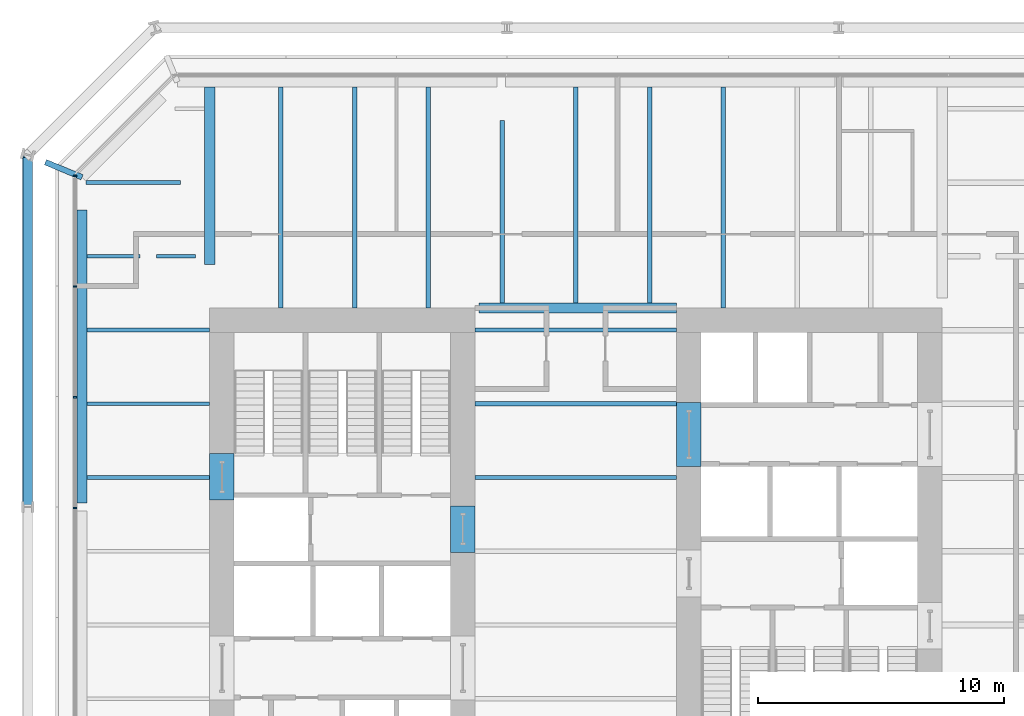
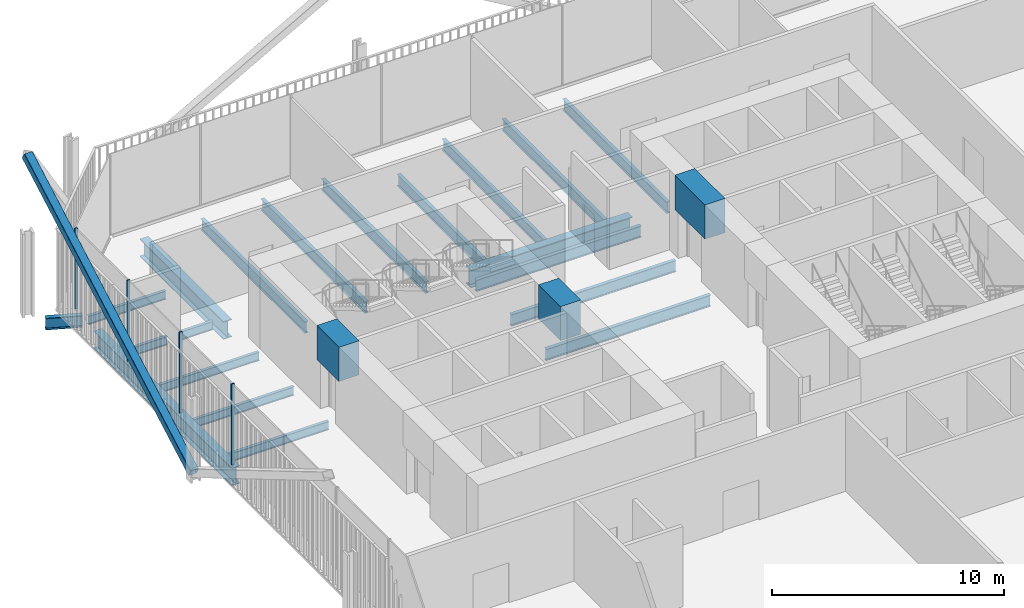
# One storey, part 11 of 21: 23 beams, 5 members, 1 element without a shape of its own.
"""IFC4 building model written with IfcOpenShell, lengths in metres."""

from ifc_helpers import new_model, si_unit, direction, frame, origin, origin_2d, place, context, subcontext, project, spatial, rectangle, hollow_rectangle, i_section, extrude, material, layer, layer_set, material_profile, profile_set, type_object, element, aggregate, save


model = new_model("IFC4")

# Units and contexts
model_context = context("Model", 3, precision=1e-05, world=origin(), true_north=direction((0.0, 1.0)))
body_context = subcontext(model_context, "Body", "Model", "MODEL_VIEW")
ifc_project = project(units=[si_unit("LENGTHUNIT", "METRE"), si_unit("AREAUNIT", "SQUARE_METRE"), si_unit("VOLUMEUNIT", "CUBIC_METRE"), si_unit("PLANEANGLEUNIT", "RADIAN"), si_unit("MASSUNIT", "GRAM", prefix="KILO")], contexts=[model_context])

# Site, building, storey
site_placement = place(None, origin())
site = spatial("IfcSite", under=ifc_project, at=site_placement, CompositionType="ELEMENT")
building_placement = place(site_placement, origin())
building = spatial("IfcBuilding", under=site, at=building_placement, Name="Millrace Tower", CompositionType="ELEMENT")
storey_placement = place(building_placement, frame((0.0, 0.0, 73.199951171875)))
storey = spatial("IfcBuildingStorey", under=building, at=storey_placement, Name="L16", CompositionType="ELEMENT", Elevation=73.199951171875)

# Curtain wall, members
ifc_material_1 = material(Name="Aluminium and glass", Category="aluminium")
ifc_layer = layer(ifc_material_1, 0.14990234375)
ifc_layer_set = layer_set([ifc_layer], Name="Aluminium and glass")
curtain_wall_type = type_object("IfcCurtainWallType", Name="CW-3 telecom floor curtain wall", PredefinedType="NOTDEFINED", material=ifc_layer_set)
curtain_wall_placement = place(storey_placement, origin())
curtain_wall = element("IfcCurtainWall", 1, at=curtain_wall_placement, inside=storey, type_object=curtain_wall_type, Name="Curtain wall B-F08 L16", PredefinedType="NOTDEFINED")
ifc_material_2 = material(Name="Aluminium", Category="aluminium")
ifc_material_profile_1 = material_profile(ifc_material_2, rectangle(XDim=0.06494140625, YDim=0.14990234375, at=origin_2d()))
ifc_profile_set_1 = profile_set([ifc_material_profile_1], Name="Aluminium")
member_type_1 = type_object("IfcMemberType", Name="CW-3 telecom floor curtain wall mullion", PredefinedType="MULLION", material=ifc_profile_set_1)
member_1_placement = place(storey_placement, frame((-20.375, 15.267578125, 0.150146484375), z_axis=(0.0, 0.0, 1.0), x_axis=(0.0, -1.0, 0.0)))
member_1 = element("IfcMember", 2, at=member_1_placement, type_object=member_type_1, Name="CW3 mullion B-F08.1", PredefinedType="MULLION", context=body_context, shape_type="SweptSolid", body=[
    extrude(rectangle(XDim=0.06494140625, YDim=0.14990234375, at=origin_2d()), origin(), (0.0, 0.0, 1.0), 4.25),
])
member_2_placement = place(storey_placement, frame((-20.375, 10.767578125, 0.150146484375), z_axis=(0.0, 0.0, 1.0), x_axis=(0.0, -1.0, 0.0)))
member_2 = element("IfcMember", 3, at=member_2_placement, type_object=member_type_1, Name="CW3 mullion B-F08.2", PredefinedType="MULLION", context=body_context, shape_type="SweptSolid", body=[
    extrude(rectangle(XDim=0.06494140625, YDim=0.14990234375, at=origin_2d()), origin(), (0.0, 0.0, 1.0), 4.25),
])
member_3_placement = place(storey_placement, frame((-20.375, 6.267578125, 0.150146484375), z_axis=(0.0, 0.0, 1.0), x_axis=(0.0, -1.0, 0.0)))
member_3 = element("IfcMember", 4, at=member_3_placement, type_object=member_type_1, Name="CW3 mullion B-F08.3", PredefinedType="MULLION", context=body_context, shape_type="SweptSolid", body=[
    extrude(rectangle(XDim=0.06494140625, YDim=0.14990234375, at=origin_2d()), origin(), (0.0, 0.0, 1.0), 4.25),
])
member_4_placement = place(storey_placement, frame((-20.375, 1.767578125, 0.150146484375), z_axis=(0.0, 0.0, 1.0), x_axis=(0.0, -1.0, 0.0)))
member_4 = element("IfcMember", 5, at=member_4_placement, type_object=member_type_1, Name="CW3 mullion B-F08.4", PredefinedType="MULLION", context=body_context, shape_type="SweptSolid", body=[
    extrude(rectangle(XDim=0.06494140625, YDim=0.14990234375, at=origin_2d()), origin(), (0.0, 0.0, 1.0), 4.25),
])
aggregate(curtain_wall, [member_1, member_2, member_3, member_4])

# Beams
ifc_material_3 = material(Name="Concrete C80", Category="concrete")
ifc_material_profile_2 = material_profile(ifc_material_3, rectangle(XDim=1.0, YDim=1.800048828125, at=origin_2d()))
ifc_profile_set_2 = profile_set([ifc_material_profile_2], Name="Concrete C80")
beam_type_1 = type_object("IfcBeamType", Name="Coupling beam 1000 x 1800 Concrete C80, 1300 opening", PredefinedType="BEAM", material=ifc_profile_set_2)
beam_1_placement = place(storey_placement, frame((-14.39990234375, 2.080078125, 3.300048828125), z_axis=(0.0, 1.0, 0.0), x_axis=(-1.0, 0.0, 0.0)))
element("IfcBeam", 6, at=beam_1_placement, inside=storey, type_object=beam_type_1, Name="Coupling beam W L16", PredefinedType="BEAM", context=body_context, shape_type="SweptSolid", body=[
    extrude(rectangle(XDim=1.0, YDim=1.800048828125, at=origin_2d()), origin(), (0.0, 0.0, 1.0), 1.89990234375),
])
beam_2_placement = place(storey_placement, frame((-4.60009765625, -0.050048828125, 3.300048828125), z_axis=(0.0, 1.0, 0.0), x_axis=(-1.0, 0.0, 0.0)))
element("IfcBeam", 7, at=beam_2_placement, inside=storey, type_object=beam_type_1, Name="Coupling beam W L16", PredefinedType="BEAM", context=body_context, shape_type="SweptSolid", body=[
    extrude(rectangle(XDim=1.0, YDim=1.800048828125, at=origin_2d()), origin(), (0.0, 0.0, 1.0), 1.900146484375),
])
ifc_material_4 = material(Name="Concrete C80", Category="concrete")
ifc_material_profile_3 = material_profile(ifc_material_4, rectangle(XDim=1.0, YDim=1.800048828125, at=origin_2d()))
ifc_profile_set_3 = profile_set([ifc_material_profile_3], Name="Concrete C80")
beam_type_2 = type_object("IfcBeamType", Name="Coupling beam 1000 x 1800 Concrete C80, 2000 opening", PredefinedType="BEAM", material=ifc_profile_set_3)
beam_3_placement = place(storey_placement, frame((4.60009765625, 6.050048828125, 3.300048828125), z_axis=(0.0, -1.0, 0.0), x_axis=(1.0, 0.0, 0.0)))
element("IfcBeam", 8, at=beam_3_placement, inside=storey, type_object=beam_type_2, Name="Coupling beam E L16", PredefinedType="BEAM", context=body_context, shape_type="SweptSolid", body=[
    extrude(rectangle(XDim=1.0, YDim=1.800048828125, at=origin_2d()), origin(), (0.0, 0.0, 1.0), 2.60009765625),
])

# Member
ifc_material_5 = material(Name="Steel ASTM A500 Grade C", Category="steel")
ifc_material_profile_4 = material_profile(ifc_material_5, hollow_rectangle(XDim=0.406494140625, YDim=0.406494140625, WallThickness=0.015869140625, InnerFilletRadius=0.008056640625, OuterFilletRadius=0.02392578125, at=origin_2d()))
ifc_profile_set_4 = profile_set([ifc_material_profile_4], Name="Steel ASTM A500 Grade C")
member_type_2 = type_object("IfcMemberType", Name="Exoskeleton brace HSS16x16x5/8", PredefinedType="BRACE", material=ifc_profile_set_4)
member_5_placement = place(storey_placement, frame((-22.300048828125, 1.800048828125, 0.400146484375), z_axis=(0.0, 0.873125840427, 0.487494888976), x_axis=(-1.0, 0.0, 0.0)))
element("IfcMember", 9, at=member_5_placement, inside=storey, type_object=member_type_2, Name="BRC-B-L16-14", PredefinedType="BRACE", context=body_context, shape_type="SweptSolid", body=[
    extrude(hollow_rectangle(XDim=0.406494140625, YDim=0.406494140625, WallThickness=0.015869140625, InnerFilletRadius=0.008056640625, OuterFilletRadius=0.02392578125, at=origin_2d()), origin(), (0.0, 0.0, 1.0), 16.410400390625),
])

# Beams
ifc_material_6 = material(Name="Steel ASTM A992 Grade 50", Category="steel")
ifc_material_profile_5 = material_profile(ifc_material_6, i_section(OverallWidth=0.15234375, OverallDepth=0.449462890625, WebThickness=0.007568359375, FlangeThickness=0.0107421875, FilletRadius=0.01025390625, at=origin_2d()))
ifc_profile_set_5 = profile_set([ifc_material_profile_5], Name="Steel ASTM A992 Grade 50")
beam_type_3 = type_object("IfcBeamType", Name="Floor beam W18x35", PredefinedType="JOIST", material=ifc_profile_set_5)
for number, where, z_axis, x_axis, name in (
    (10, (-19.880859375, 3.0, -0.4248046875), (1.0, 0.0, 0.0), (0.0, 1.0, 0.0), "BM-B-L16-S1-S026"),
    (11, (-19.880859375, 6.0, -0.4248046875), (1.0, 0.0, 0.0), (0.0, 1.0, 0.0), "BM-B-L16-S1-S029"),
    (12, (-19.880859375, 9.0, -0.4248046875), (1.0, 0.0, 0.0), (0.0, 1.0, 0.0), "BM-B-L16-S1-S032"),
):
    element("IfcBeam", number, at=place(storey_placement, frame(where, z_axis=z_axis, x_axis=x_axis)), inside=storey, type_object=beam_type_3, Name=name, PredefinedType="JOIST", context=body_context, shape_type="SweptSolid", body=[
        extrude(i_section(OverallWidth=0.15234375, OverallDepth=0.449462890625, WebThickness=0.007568359375, FlangeThickness=0.0107421875, FilletRadius=0.01025390625, at=origin_2d()), origin(), (0.0, 0.0, 1.0), 4.98095703125),
    ])
beam_4_placement = place(storey_placement, frame((-19.928955078125, 15.0, -0.4248046875), z_axis=(1.0, 0.0, 0.0), x_axis=(0.0, 1.0, 0.0)))
element("IfcBeam", 13, at=beam_4_placement, inside=storey, type_object=beam_type_3, Name="BM-B-L16-S1-S036", PredefinedType="JOIST", context=body_context, shape_type="SweptSolid", body=[
    extrude(i_section(OverallWidth=0.15234375, OverallDepth=0.449462890625, WebThickness=0.007568359375, FlangeThickness=0.0107421875, FilletRadius=0.01025390625, at=origin_2d()), origin(), (0.0, 0.0, 1.0), 3.85009765625),
])
beam_5_placement = place(storey_placement, frame((-19.880859375, 12.0, -0.4248046875), z_axis=(1.0, 0.0, 0.0), x_axis=(0.0, 1.0, 0.0)))
element("IfcBeam", 14, at=beam_5_placement, inside=storey, type_object=beam_type_3, Name="BM-B-L16-S1-S034-a", PredefinedType="JOIST", context=body_context, shape_type="SweptSolid", body=[
    extrude(i_section(OverallWidth=0.15234375, OverallDepth=0.449462890625, WebThickness=0.007568359375, FlangeThickness=0.0107421875, FilletRadius=0.01025390625, at=origin_2d()), origin(), (0.0, 0.0, 1.0), 2.14111328125),
])
beam_6_placement = place(storey_placement, frame((-17.05029296875, 12.0, -0.4248046875), z_axis=(1.0, 0.0, 0.0), x_axis=(0.0, 1.0, 0.0)))
element("IfcBeam", 15, at=beam_6_placement, inside=storey, type_object=beam_type_3, Name="BM-B-L16-S1-S034-b", PredefinedType="JOIST", context=body_context, shape_type="SweptSolid", body=[
    extrude(i_section(OverallWidth=0.15234375, OverallDepth=0.449462890625, WebThickness=0.007568359375, FlangeThickness=0.0107421875, FilletRadius=0.01025390625, at=origin_2d()), origin(), (0.0, 0.0, 1.0), 1.575439453125),
])
ifc_material_7 = material(Name="Steel ASTM A992 Grade 50", Category="steel")
ifc_material_profile_6 = material_profile(ifc_material_7, i_section(OverallWidth=0.177978515625, OverallDepth=0.599365234375, WebThickness=0.010009765625, FlangeThickness=0.012939453125, FilletRadius=0.012939453125, at=origin_2d()))
ifc_profile_set_6 = profile_set([ifc_material_profile_6], Name="Steel ASTM A992 Grade 50")
beam_type_4 = type_object("IfcBeamType", Name="Floor beam W24x55", PredefinedType="JOIST", material=ifc_profile_set_6)
for number, where, z_axis, x_axis, name in (
    (16, (-4.10009765625, 3.0, -0.499755859375), (1.0, 0.0, 0.0), (0.0, 1.0, 0.0), "BM-B-L16-S1-S025"),
    (17, (-4.10009765625, 6.0, -0.499755859375), (1.0, 0.0, 0.0), (0.0, 1.0, 0.0), "BM-B-L16-S1-S028"),
    (18, (-4.10009765625, 9.0, -0.499755859375), (1.0, 0.0, 0.0), (0.0, 1.0, 0.0), "BM-B-L16-S1-S031"),
):
    element("IfcBeam", number, at=place(storey_placement, frame(where, z_axis=z_axis, x_axis=x_axis)), inside=storey, type_object=beam_type_4, Name=name, PredefinedType="JOIST", context=body_context, shape_type="SweptSolid", body=[
        extrude(i_section(OverallWidth=0.177978515625, OverallDepth=0.599365234375, WebThickness=0.010009765625, FlangeThickness=0.012939453125, FilletRadius=0.012939453125, at=origin_2d()), origin(), (0.0, 0.0, 1.0), 8.2001953125),
    ])
for number, where, z_axis, x_axis, name in (
    (19, (-12.0, 9.89990234375, -0.499755859375), (0.0, 1.0, 0.0), (-1.0, 0.0, 0.0), "BM-B-L16-S1-S040"),
    (20, (-9.0, 9.89990234375, -0.499755859375), (0.0, 1.0, 0.0), (-1.0, 0.0, 0.0), "BM-B-L16-S1-S042"),
    (21, (-6.0, 9.89990234375, -0.499755859375), (0.0, 1.0, 0.0), (-1.0, 0.0, 0.0), "BM-B-L16-S1-S044"),
):
    element("IfcBeam", number, at=place(storey_placement, frame(where, z_axis=z_axis, x_axis=x_axis)), inside=storey, type_object=beam_type_4, Name=name, PredefinedType="JOIST", context=body_context, shape_type="SweptSolid", body=[
        extrude(i_section(OverallWidth=0.177978515625, OverallDepth=0.599365234375, WebThickness=0.010009765625, FlangeThickness=0.012939453125, FilletRadius=0.012939453125, at=origin_2d()), origin(), (0.0, 0.0, 1.0), 8.98095703125),
    ])
for number, where, z_axis, x_axis, name in (
    (22, (0.0, 10.11083984375, -0.499755859375), (0.0, 1.0, 0.0), (-1.0, 0.0, 0.0), "BM-B-L16-S1-S048"),
    (23, (3.0, 10.11083984375, -0.499755859375), (0.0, 1.0, 0.0), (-1.0, 0.0, 0.0), "BM-B-L16-S1-S050"),
):
    element("IfcBeam", number, at=place(storey_placement, frame(where, z_axis=z_axis, x_axis=x_axis)), inside=storey, type_object=beam_type_4, Name=name, PredefinedType="JOIST", context=body_context, shape_type="SweptSolid", body=[
        extrude(i_section(OverallWidth=0.177978515625, OverallDepth=0.599365234375, WebThickness=0.010009765625, FlangeThickness=0.012939453125, FilletRadius=0.012939453125, at=origin_2d()), origin(), (0.0, 0.0, 1.0), 8.77001953125),
    ])
beam_7_placement = place(storey_placement, frame((6.0, 9.89990234375, -0.499755859375), z_axis=(0.0, 1.0, 0.0), x_axis=(-1.0, 0.0, 0.0)))
element("IfcBeam", 24, at=beam_7_placement, inside=storey, type_object=beam_type_4, Name="BM-B-L16-S1-S052", PredefinedType="JOIST", context=body_context, shape_type="SweptSolid", body=[
    extrude(i_section(OverallWidth=0.177978515625, OverallDepth=0.599365234375, WebThickness=0.010009765625, FlangeThickness=0.012939453125, FilletRadius=0.012939453125, at=origin_2d()), origin(), (0.0, 0.0, 1.0), 8.98095703125),
])
beam_8_placement = place(storey_placement, frame((-3.0, 10.11083984375, -0.499755859375), z_axis=(0.0, 1.0, 0.0), x_axis=(-1.0, 0.0, 0.0)))
element("IfcBeam", 25, at=beam_8_placement, inside=storey, type_object=beam_type_4, Name="BM-B-L16-S1-S046", PredefinedType="JOIST", context=body_context, shape_type="SweptSolid", body=[
    extrude(i_section(OverallWidth=0.177978515625, OverallDepth=0.599365234375, WebThickness=0.010009765625, FlangeThickness=0.012939453125, FilletRadius=0.012939453125, at=origin_2d()), origin(), (0.0, 0.0, 1.0), 7.423828125),
])
ifc_material_8 = material(Name="Steel ASTM A992 Grade 50", Category="steel")
ifc_material_profile_7 = material_profile(ifc_material_8, i_section(OverallWidth=0.421630859375, OverallDepth=0.937255859375, WebThickness=0.021240234375, FlangeThickness=0.03662109375, FilletRadius=0.024169921875, at=origin_2d()))
ifc_profile_set_7 = profile_set([ifc_material_profile_7], Name="Steel ASTM A992 Grade 50")
beam_type_5 = type_object("IfcBeamType", Name="Girder short span W36x262", PredefinedType="BEAM", material=ifc_profile_set_7)
beam_9_placement = place(storey_placement, frame((-14.89990234375, 11.6728515625, -0.668701171875), z_axis=(0.0, 1.0, 0.0), x_axis=(-1.0, 0.0, 0.0)))
element("IfcBeam", 26, at=beam_9_placement, inside=storey, type_object=beam_type_5, Name="BM-B-L16-S1-G058", PredefinedType="BEAM", context=body_context, shape_type="SweptSolid", body=[
    extrude(i_section(OverallWidth=0.421630859375, OverallDepth=0.937255859375, WebThickness=0.021240234375, FlangeThickness=0.03662109375, FilletRadius=0.024169921875, at=origin_2d()), origin(), (0.0, 0.0, 1.0), 7.2080078125),
])
beam_10_placement = place(storey_placement, frame((-3.93359375, 9.89990234375, -0.668701171875), z_axis=(1.0, 0.0, 0.0), x_axis=(0.0, 1.0, 0.0)))
element("IfcBeam", 27, at=beam_10_placement, inside=storey, type_object=beam_type_5, Name="BM-B-L16-S1-G062", PredefinedType="BEAM", context=body_context, shape_type="SweptSolid", body=[
    extrude(i_section(OverallWidth=0.421630859375, OverallDepth=0.937255859375, WebThickness=0.021240234375, FlangeThickness=0.03662109375, FilletRadius=0.024169921875, at=origin_2d()), origin(), (0.0, 0.0, 1.0), 8.03369140625),
])
ifc_material_9 = material(Name="Steel ASTM A992 Grade 50", Category="steel")
ifc_material_profile_8 = material_profile(ifc_material_9, i_section(OverallWidth=0.23046875, OverallDepth=0.6171875, WebThickness=0.01318359375, FlangeThickness=0.022216796875, FilletRadius=0.012939453125, at=origin_2d()))
ifc_profile_set_8 = profile_set([ifc_material_profile_8], Name="Steel ASTM A992 Grade 50")
beam_type_6 = type_object("IfcBeamType", Name="Link beam W24x94", PredefinedType="BEAM", material=ifc_profile_set_8)
beam_11_placement = place(storey_placement, frame((-20.09033203125, 15.213134765625, -0.508544921875), z_axis=(-0.92384677088, 0.382762516366, 0.0), x_axis=(-0.382762516366, -0.92384677088, 0.0)))
element("IfcBeam", 28, at=beam_11_placement, inside=storey, type_object=beam_type_6, Name="LNK-B-L16-S1-04", PredefinedType="BEAM", context=body_context, shape_type="SweptSolid", body=[
    extrude(i_section(OverallWidth=0.23046875, OverallDepth=0.6171875, WebThickness=0.01318359375, FlangeThickness=0.022216796875, FilletRadius=0.012939453125, at=origin_2d()), origin(), (0.0, 0.0, 1.0), 1.60986328125),
])
ifc_material_10 = material(Name="Steel ASTM A992 Grade 50", Category="steel")
ifc_material_profile_9 = material_profile(ifc_material_10, i_section(OverallWidth=0.419189453125, OverallDepth=0.927001953125, WebThickness=0.019287109375, FlangeThickness=0.031982421875, FilletRadius=0.024169921875, at=origin_2d()))
ifc_profile_set_9 = profile_set([ifc_material_profile_9], Name="Steel ASTM A992 Grade 50")
beam_type_7 = type_object("IfcBeamType", Name="Ring beam short span W36x231", PredefinedType="SPANDREL", material=ifc_profile_set_9)
beam_12_placement = place(storey_placement, frame((-20.09033203125, 1.961181640625, -0.66357421875), z_axis=(0.0, 1.0, 0.0), x_axis=(-1.0, 0.0, 0.0)))
element("IfcBeam", 29, at=beam_12_placement, inside=storey, type_object=beam_type_7, Name="RNG-B-L16-S1-03", PredefinedType="SPANDREL", context=body_context, shape_type="SweptSolid", body=[
    extrude(i_section(OverallWidth=0.419189453125, OverallDepth=0.927001953125, WebThickness=0.019287109375, FlangeThickness=0.031982421875, FilletRadius=0.024169921875, at=origin_2d()), origin(), (0.0, 0.0, 1.0), 11.918701171875),
])

save(model, "model.ifc")
